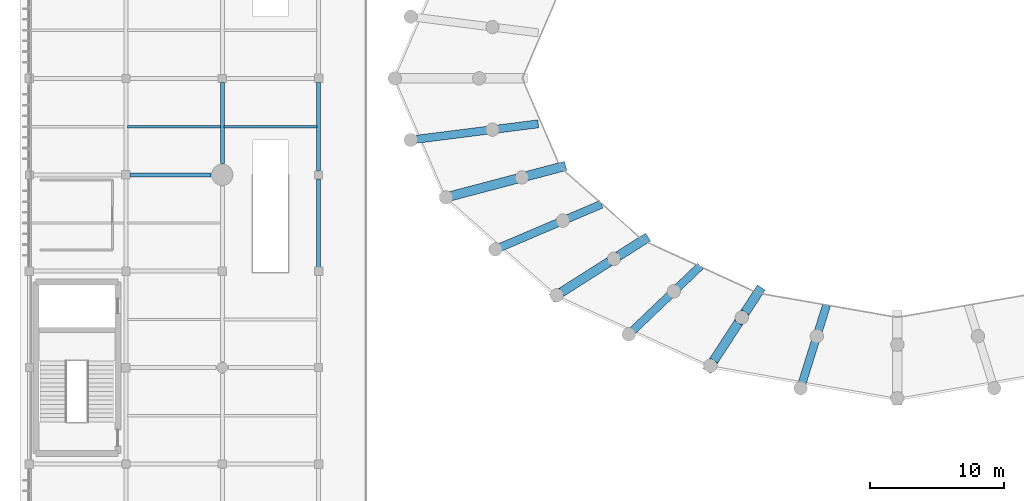
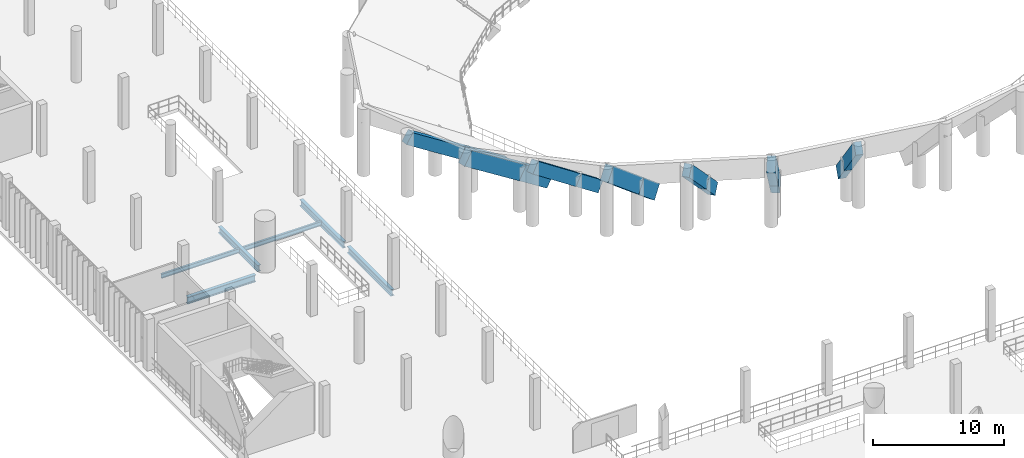
# One storey, part 18 of 105: 20 beams.
"""IFC4 building model written with IfcOpenShell, lengths in metres."""

from ifc_helpers import new_model, si_unit, direction, frame, origin, origin_2d, place, context, subcontext, project, spatial, rectangle, i_section, extrude, material, material_profile, profile_set, type_object, element, save


model = new_model("IFC4")

# Units and contexts
model_context = context("Model", 3, precision=1e-05, world=origin(), true_north=direction((0.0, 1.0)))
body_context = subcontext(model_context, "Body", "Model", "MODEL_VIEW")
ifc_project = project(units=[si_unit("LENGTHUNIT", "METRE"), si_unit("AREAUNIT", "SQUARE_METRE"), si_unit("VOLUMEUNIT", "CUBIC_METRE"), si_unit("PLANEANGLEUNIT", "RADIAN"), si_unit("MASSUNIT", "GRAM", prefix="KILO")], contexts=[model_context])

# Site, building, storey
site_placement = place(None, origin())
site = spatial("IfcSite", under=ifc_project, at=site_placement, CompositionType="ELEMENT")
building_placement = place(site_placement, origin())
building = spatial("IfcBuilding", under=site, at=building_placement, Name="Qandorah Velis Arena", CompositionType="ELEMENT")
storey_placement = place(building_placement, frame((0.0, 0.0, 13.800048828125)))
storey = spatial("IfcBuildingStorey", under=building, at=storey_placement, Name="L03", CompositionType="ELEMENT", Elevation=13.800048828125)

# Beams
ifc_material_1 = material(Name="Steel S355", Category="steel")
ifc_material_profile_1 = material_profile(ifc_material_1, i_section(OverallWidth=0.300048828125, OverallDepth=0.60009765625, WebThickness=0.015380859375, FlangeThickness=0.030029296875, FilletRadius=0.027099609375, at=origin_2d()), Name="HEB 600")
ifc_profile_set_1 = profile_set([ifc_material_profile_1], Name="Steel S355")
beam_type_1 = type_object("IfcBeamType", Name="STR-BM-HEB600", PredefinedType="BEAM", material=ifc_profile_set_1)
beam_1_placement = place(storey_placement, frame((14.39990234375, 58.449951171875, -0.6201171875), z_axis=(0.0, 1.0, 0.0), x_axis=(-1.0, 0.0, 0.0)))
element("IfcBeam", 1, at=beam_1_placement, inside=storey, type_object=beam_type_1, Name="Primary floor girder L03 Y-212", PredefinedType="BEAM", context=body_context, shape_type="SweptSolid", body=[
    extrude(i_section(OverallWidth=0.300048828125, OverallDepth=0.60009765625, WebThickness=0.015380859375, FlangeThickness=0.030029296875, FilletRadius=0.027099609375, at=origin_2d()), origin(), (0.0, 0.0, 1.0), 6.050048828125),
])
beam_2_placement = place(storey_placement, frame((21.60009765625, 50.550048828125, -0.6201171875), z_axis=(0.0, 1.0, 0.0), x_axis=(-1.0, 0.0, 0.0)))
element("IfcBeam", 2, at=beam_2_placement, inside=storey, type_object=beam_type_1, Name="Primary floor girder L03 Y-225", PredefinedType="BEAM", context=body_context, shape_type="SweptSolid", body=[
    extrude(i_section(OverallWidth=0.300048828125, OverallDepth=0.60009765625, WebThickness=0.015380859375, FlangeThickness=0.030029296875, FilletRadius=0.027099609375, at=origin_2d()), origin(), (0.0, 0.0, 1.0), 6.724853515625),
])
beam_3_placement = place(storey_placement, frame((21.60009765625, 57.925048828125, -0.6201171875), z_axis=(0.0, 1.0, 0.0), x_axis=(-1.0, 0.0, 0.0)))
element("IfcBeam", 3, at=beam_3_placement, inside=storey, type_object=beam_type_1, Name="Primary floor girder L03 Y-226", PredefinedType="BEAM", context=body_context, shape_type="SweptSolid", body=[
    extrude(i_section(OverallWidth=0.300048828125, OverallDepth=0.60009765625, WebThickness=0.015380859375, FlangeThickness=0.030029296875, FilletRadius=0.027099609375, at=origin_2d()), origin(), (0.0, 0.0, 1.0), 6.574951171875),
])
ifc_material_profile_2 = material_profile(ifc_material_1, i_section(OverallWidth=0.300048828125, OverallDepth=0.64990234375, WebThickness=0.01611328125, FlangeThickness=0.031005859375, FilletRadius=0.027099609375, at=origin_2d()), Name="HEB 650")
ifc_profile_set_2 = profile_set([ifc_material_profile_2], Name="Steel S355")
beam_type_2 = type_object("IfcBeamType", Name="STR-BM-HEB650", PredefinedType="BEAM", material=ifc_profile_set_2)
beam_4_placement = place(storey_placement, frame((7.52490234375, 57.60009765625, -0.64501953125), z_axis=(1.0, 0.0, 0.0), x_axis=(0.0, 1.0, 0.0)))
element("IfcBeam", 4, at=beam_4_placement, inside=storey, type_object=beam_type_2, Name="Primary floor girder L03 X-084", PredefinedType="BEAM", context=body_context, shape_type="SweptSolid", body=[
    extrude(i_section(OverallWidth=0.300048828125, OverallDepth=0.64990234375, WebThickness=0.01611328125, FlangeThickness=0.031005859375, FilletRadius=0.027099609375, at=origin_2d()), origin(), (0.0, 0.0, 1.0), 6.025146484375),
])
ifc_material_profile_3 = material_profile(ifc_material_1, i_section(OverallWidth=0.179931640625, OverallDepth=0.39990234375, WebThickness=0.008544921875, FlangeThickness=0.013427734375, FilletRadius=0.02099609375, at=origin_2d()), Name="IPE 400")
ifc_profile_set_3 = profile_set([ifc_material_profile_3], Name="Steel S355")
beam_type_3 = type_object("IfcBeamType", Name="STR-JST-IPE400", PredefinedType="JOIST", material=ifc_profile_set_3)
beam_5_placement = place(storey_placement, frame((7.3349609375, 61.199951171875, -0.52001953125), z_axis=(1.0, 0.0, 0.0), x_axis=(0.0, 1.0, 0.0)))
element("IfcBeam", 5, at=beam_5_placement, inside=storey, type_object=beam_type_3, Name="Secondary floor joist L03-017", PredefinedType="JOIST", context=body_context, shape_type="SweptSolid", body=[
    extrude(i_section(OverallWidth=0.179931640625, OverallDepth=0.39990234375, WebThickness=0.008544921875, FlangeThickness=0.013427734375, FilletRadius=0.02099609375, at=origin_2d()), origin(), (0.0, 0.0, 1.0), 6.929931640625),
])
beam_6_placement = place(storey_placement, frame((14.534912109375, 61.199951171875, -0.52001953125), z_axis=(1.0, 0.0, 0.0), x_axis=(0.0, 1.0, 0.0)))
element("IfcBeam", 6, at=beam_6_placement, inside=storey, type_object=beam_type_3, Name="Secondary floor joist L03-030", PredefinedType="JOIST", context=body_context, shape_type="SweptSolid", body=[
    extrude(i_section(OverallWidth=0.179931640625, OverallDepth=0.39990234375, WebThickness=0.008544921875, FlangeThickness=0.013427734375, FilletRadius=0.02099609375, at=origin_2d()), origin(), (0.0, 0.0, 1.0), 6.93017578125),
])
ifc_material_2 = material(Name="Concrete C40/50", Category="concrete")
ifc_material_profile_4 = material_profile(ifc_material_2, rectangle(XDim=0.60009765625, YDim=1.050048828125, at=origin_2d()), Name="RC RAKER 600x1050")
ifc_profile_set_4 = profile_set([ifc_material_profile_4], Name="Concrete C40/50")
beam_type_4 = type_object("IfcBeamType", Name="STR-RAK-600X1050", PredefinedType="USERDEFINED", material=ifc_profile_set_4)
beam_7_placement = place(storey_placement, frame((34.573974609375, 60.9716796875, 1.40966796875), z_axis=(0.816973236956, 0.103457257746, -0.567319421418), x_axis=(-0.125631488177, 0.992076977446, 0.0)))
element("IfcBeam", 7, at=beam_7_placement, inside=storey, type_object=beam_type_4, Name="Upper bowl cantilever raker RB-UC09.2", ObjectType="RAKER BEAM", PredefinedType="USERDEFINED", context=body_context, shape_type="SweptSolid", body=[
    extrude(rectangle(XDim=0.60009765625, YDim=1.050048828125, at=origin_2d()), origin(), (0.0, 0.0, 1.0), 3.81591796875),
])
beam_8_placement = place(storey_placement, frame((34.573974609375, 60.9716796875, 1.40966796875), z_axis=(-0.816981535734, -0.10346754109, 0.567305595081), x_axis=(0.12564252233, -0.992075580076, 0.0)))
element("IfcBeam", 8, at=beam_8_placement, inside=storey, type_object=beam_type_4, Name="Upper bowl back-span raker RB-UB09.2", ObjectType="RAKER BEAM", PredefinedType="USERDEFINED", context=body_context, shape_type="SweptSolid", body=[
    extrude(rectangle(XDim=0.60009765625, YDim=1.050048828125, at=origin_2d()), origin(), (0.0, 0.0, 1.0), 7.4658203125),
])
beam_9_placement = place(storey_placement, frame((39.82763671875, 54.17529296875, 1.40966796875), z_axis=(0.72790074702, 0.309651047642, -0.611781604154), x_axis=(-0.391454600129, 0.920197422317, 0.0)))
element("IfcBeam", 9, at=beam_9_placement, inside=storey, type_object=beam_type_4, Name="Upper bowl cantilever raker RB-UC10.2", ObjectType="RAKER BEAM", PredefinedType="USERDEFINED", context=body_context, shape_type="SweptSolid", body=[
    extrude(rectangle(XDim=0.60009765625, YDim=1.050048828125, at=origin_2d()), origin(), (0.0, 0.0, 1.0), 3.53857421875),
])
beam_10_placement = place(storey_placement, frame((39.82763671875, 54.17529296875, 1.40966796875), z_axis=(-0.727894225568, -0.309692703306, 0.611768277949), x_axis=(0.391502159472, -0.920177188985, 0.0)))
element("IfcBeam", 10, at=beam_10_placement, inside=storey, type_object=beam_type_4, Name="Upper bowl back-span raker RB-UB10.2", ObjectType="RAKER BEAM", PredefinedType="USERDEFINED", context=body_context, shape_type="SweptSolid", body=[
    extrude(rectangle(XDim=0.60009765625, YDim=1.050048828125, at=origin_2d()), origin(), (0.0, 0.0, 1.0), 6.923095703125),
])
beam_11_placement = place(storey_placement, frame((48.114013671875, 48.898681640625, 1.40966796875), z_axis=(0.535239742941, 0.510106482207, -0.673282848724), x_axis=(-0.689906434982, 0.723898550192, 0.0)))
element("IfcBeam", 11, at=beam_11_placement, inside=storey, type_object=beam_type_4, Name="Upper bowl cantilever raker RB-UC11.2", ObjectType="RAKER BEAM", PredefinedType="USERDEFINED", context=body_context, shape_type="SweptSolid", body=[
    extrude(rectangle(XDim=0.60009765625, YDim=1.050048828125, at=origin_2d()), origin(), (0.0, 0.0, 1.0), 3.21533203125),
])
beam_12_placement = place(storey_placement, frame((48.114013671875, 48.898681640625, 1.40966796875), z_axis=(-0.535279946497, -0.510052860852, 0.673291510429), x_axis=(0.689841272338, -0.723960647397, 0.0)))
element("IfcBeam", 12, at=beam_12_placement, inside=storey, type_object=beam_type_4, Name="Upper bowl back-span raker RB-UB11.2", ObjectType="RAKER BEAM", PredefinedType="USERDEFINED", context=body_context, shape_type="SweptSolid", body=[
    extrude(rectangle(XDim=0.60009765625, YDim=1.050048828125, at=origin_2d()), origin(), (0.0, 0.0, 1.0), 6.29052734375),
])
beam_13_placement = place(storey_placement, frame((58.78759765625, 45.553466796875, 1.40966796875), z_axis=(0.206573405548, 0.661278882091, -0.721136372832), x_axis=(-0.954511305053, 0.29817472818, 0.0)))
element("IfcBeam", 13, at=beam_13_placement, inside=storey, type_object=beam_type_4, Name="Upper bowl cantilever raker RB-UC12.2", ObjectType="RAKER BEAM", PredefinedType="USERDEFINED", context=body_context, shape_type="SweptSolid", body=[
    extrude(rectangle(XDim=0.60009765625, YDim=1.050048828125, at=origin_2d()), origin(), (0.0, 0.0, 1.0), 3.001953125),
])
beam_14_placement = place(storey_placement, frame((58.78759765625, 45.553466796875, 1.40966796875), z_axis=(-0.206556589963, -0.661280385014, 0.721139811367), x_axis=(0.954518405821, -0.298151996387, 0.0)))
element("IfcBeam", 14, at=beam_14_placement, inside=storey, type_object=beam_type_4, Name="Upper bowl back-span raker RB-UB12.2", ObjectType="RAKER BEAM", PredefinedType="USERDEFINED", context=body_context, shape_type="SweptSolid", body=[
    extrude(rectangle(XDim=0.60009765625, YDim=1.050048828125, at=origin_2d()), origin(), (0.0, 0.0, 1.0), 5.873046875),
])
ifc_material_profile_5 = material_profile(ifc_material_2, rectangle(XDim=0.699951171875, YDim=1.35009765625, at=origin_2d()), Name="RC RAKER 700x1350")
ifc_profile_set_5 = profile_set([ifc_material_profile_5], Name="Concrete C40/50")
beam_type_5 = type_object("IfcBeamType", Name="STR-RAK-700X1350", PredefinedType="USERDEFINED", material=ifc_profile_set_5)
beam_15_placement = place(storey_placement, frame((36.760009765625, 57.404296875, 1.259765625), z_axis=(0.783289810237, 0.206633518233, -0.586310209976), x_axis=(-0.255075830439, 0.966921051961, 0.0)))
element("IfcBeam", 15, at=beam_15_placement, inside=storey, type_object=beam_type_5, Name="Upper bowl cantilever raker RB-UC10.1", ObjectType="RAKER BEAM", PredefinedType="USERDEFINED", context=body_context, shape_type="SweptSolid", body=[
    extrude(rectangle(XDim=0.699951171875, YDim=1.35009765625, at=origin_2d()), origin(), (0.0, 0.0, 1.0), 3.692138671875),
])
beam_16_placement = place(storey_placement, frame((36.760009765625, 57.404296875, 1.259765625), z_axis=(-0.783311914802, -0.206575872595, 0.586300991805), x_axis=(0.255002570453, -0.966940375133, 0.0)))
element("IfcBeam", 16, at=beam_16_placement, inside=storey, type_object=beam_type_5, Name="Upper bowl back-span raker RB-UB10.1", ObjectType="RAKER BEAM", PredefinedType="USERDEFINED", context=body_context, shape_type="SweptSolid", body=[
    extrude(rectangle(XDim=0.699951171875, YDim=1.35009765625, at=origin_2d()), origin(), (0.0, 0.0, 1.0), 7.223388671875),
])
beam_17_placement = place(storey_placement, frame((43.64013671875, 51.326416015625, 1.259765625), z_axis=(0.646924820526, 0.411936019514, -0.641714104889), x_axis=(-0.537113598348, 0.843509918418, 0.0)))
element("IfcBeam", 17, at=beam_17_placement, inside=storey, type_object=beam_type_5, Name="Upper bowl cantilever raker RB-UC11.1", ObjectType="RAKER BEAM", PredefinedType="USERDEFINED", context=body_context, shape_type="SweptSolid", body=[
    extrude(rectangle(XDim=0.699951171875, YDim=1.35009765625, at=origin_2d()), origin(), (0.0, 0.0, 1.0), 3.37353515625),
])
beam_18_placement = place(storey_placement, frame((43.64013671875, 51.326416015625, 1.259765625), z_axis=(-0.646945182928, -0.4119378785, 0.641692383112), x_axis=(0.537103294386, -0.843516479483, 0.0)))
element("IfcBeam", 18, at=beam_18_placement, inside=storey, type_object=beam_type_5, Name="Upper bowl back-span raker RB-UB11.1", ObjectType="RAKER BEAM", PredefinedType="USERDEFINED", context=body_context, shape_type="SweptSolid", body=[
    extrude(rectangle(XDim=0.699951171875, YDim=1.35009765625, at=origin_2d()), origin(), (0.0, 0.0, 1.0), 6.599853515625),
])
beam_19_placement = place(storey_placement, frame((53.185546875, 46.945556640625, 1.259765625), z_axis=(0.388352010892, 0.597093195711, -0.70189916033), x_axis=(-0.838288697061, 0.545226613785, 0.0)))
element("IfcBeam", 19, at=beam_19_placement, inside=storey, type_object=beam_type_5, Name="Upper bowl cantilever raker RB-UC12.1", ObjectType="RAKER BEAM", PredefinedType="USERDEFINED", context=body_context, shape_type="SweptSolid", body=[
    extrude(rectangle(XDim=0.699951171875, YDim=1.35009765625, at=origin_2d()), origin(), (0.0, 0.0, 1.0), 3.084228515625),
])
beam_20_placement = place(storey_placement, frame((53.185546875, 46.945556640625, 1.259765625), z_axis=(-0.388413535335, -0.597104891091, 0.701855166401), x_axis=(0.838254099268, -0.545279804376, 0.0)))
element("IfcBeam", 20, at=beam_20_placement, inside=storey, type_object=beam_type_5, Name="Upper bowl back-span raker RB-UB12.1", ObjectType="RAKER BEAM", PredefinedType="USERDEFINED", context=body_context, shape_type="SweptSolid", body=[
    extrude(rectangle(XDim=0.699951171875, YDim=1.35009765625, at=origin_2d()), origin(), (0.0, 0.0, 1.0), 6.0341796875),
])

save(model, "model.ifc")
